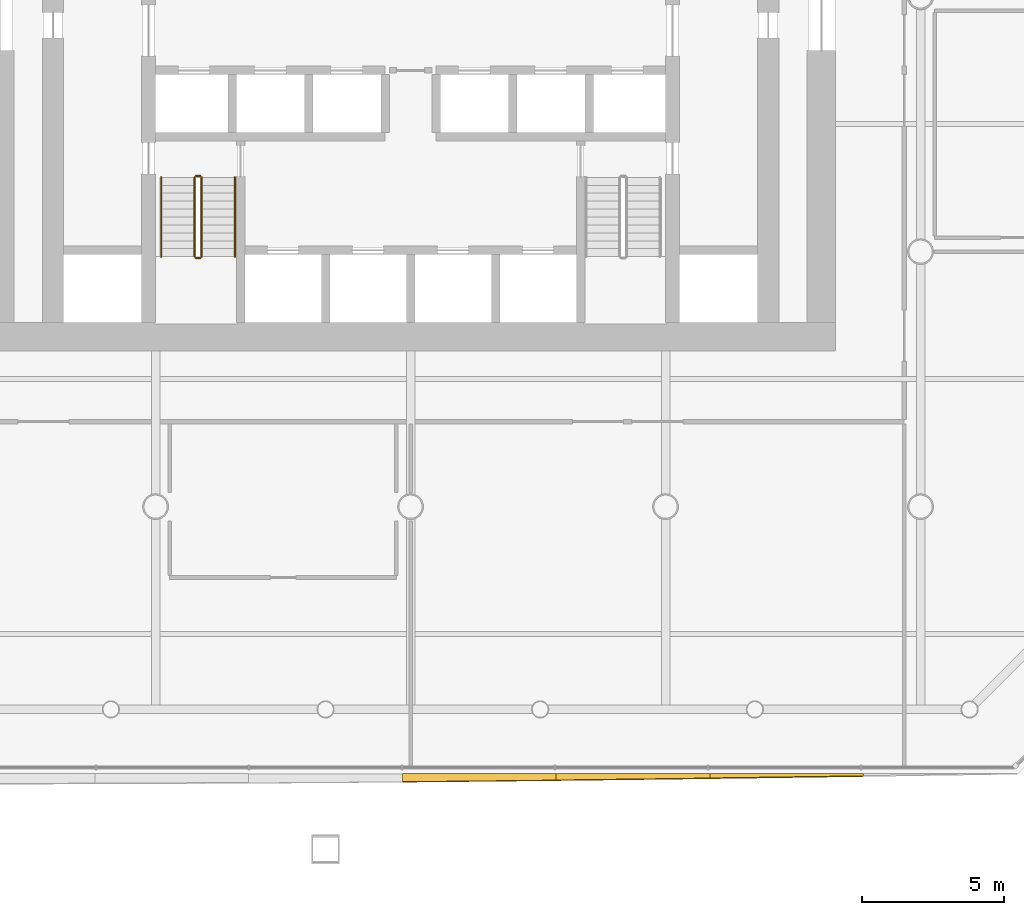
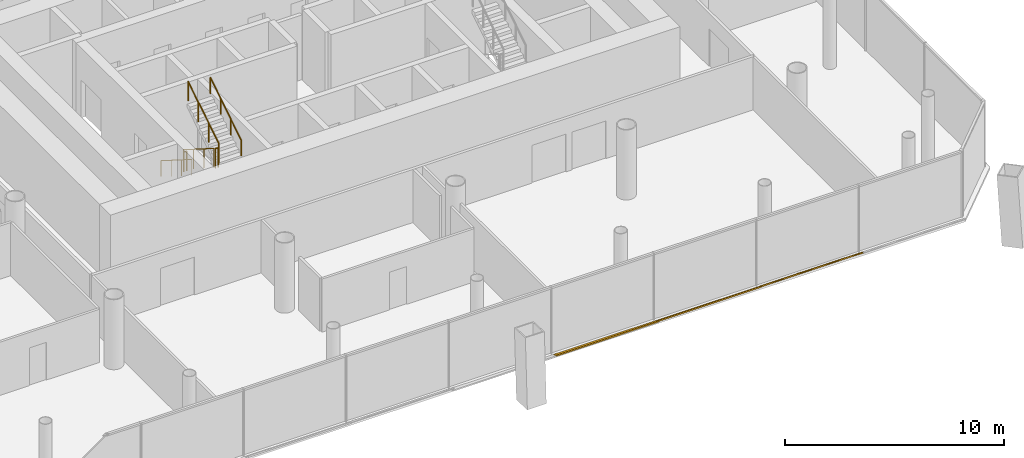
# One storey, part 19 of 22: 6 railings, 3 shading devices.
"""IFC4 building model written with IfcOpenShell, lengths in metres."""

from ifc_helpers import new_model, si_unit, direction, frame, origin, origin_2d, place, context, subcontext, project, spatial, polyline, circle, outline, extrude, material, layer, layer_set, type_object, element, save


model = new_model("IFC4")

# Units and contexts
model_context = context("Model", 3, precision=1e-05, world=origin(), true_north=direction((0.0, 1.0)))
body_context = subcontext(model_context, "Body", "Model", "MODEL_VIEW")
ifc_project = project(units=[si_unit("LENGTHUNIT", "METRE"), si_unit("AREAUNIT", "SQUARE_METRE"), si_unit("VOLUMEUNIT", "CUBIC_METRE"), si_unit("PLANEANGLEUNIT", "RADIAN"), si_unit("MASSUNIT", "GRAM", prefix="KILO")], contexts=[model_context])

# Site, building, storey
site_placement = place(None, origin())
site = spatial("IfcSite", under=ifc_project, at=site_placement, CompositionType="ELEMENT")
building_placement = place(site_placement, origin())
building = spatial("IfcBuilding", under=site, at=building_placement, Name="Tskaro Facet Tower", CompositionType="ELEMENT")
storey_placement = place(building_placement, frame((0.0, 0.0, 26.39990234375)))
storey = spatial("IfcBuildingStorey", under=building, at=storey_placement, Name="L05", CompositionType="ELEMENT", Elevation=26.39990234375)

# Shading devices
ifc_material_1 = material(Name="Bronze anodised aluminium 6063-T6", Category="aluminium")
ifc_layer = layer(ifc_material_1, 0.06005859375, Name="Bronze anodised aluminium 6063-T6")
ifc_layer_set = layer_set([ifc_layer], Name="Bronze anodised aluminium 6063-T6")
shading_device_type = type_object("IfcShadingDeviceType", Name="Bronze sun blade (FN1)", PredefinedType="USERDEFINED", material=ifc_layer_set)
shading_device_1_placement = place(storey_placement, frame((-0.287841796875, -27.4267578125, 0.054443359375), z_axis=(-8.138028e-06, 0.422855569478, 0.906197090756), x_axis=(0.999999999967, 3.44121e-06, 7.374657e-06)))
element("IfcShadingDevice", 1, at=shading_device_1_placement, inside=storey, type_object=shading_device_type, Name="Fin blade south 6", ObjectType="FIN", PredefinedType="USERDEFINED", context=body_context, shape_type="SweptSolid", body=[
    extrude(outline(polyline([(0.0, 0.0), (5.424072265445389, -2.297183958636327e-21), (5.424072265751923, -0.24760746234001452), (4.746093750271719, -0.2562356704570903), (4.068115234671338, -0.2643181633029101), (3.390136719070959, -0.27240065614872977), (2.7121582025102655, -0.2801586732474113), (2.033935546164719, -0.28769545082197506), (1.3559570312843037, -0.295010988872421), (0.6779785154435741, -0.30200205117572876), (-3.971553077185795e-10, -0.30899311347903646), (0.0, 0.0)])), origin(), (0.0, 0.0, -1.0), 0.06005859375),
])
shading_device_2_placement = place(storey_placement, frame((5.13623046875, -27.422119140625, 0.052001953125), z_axis=(-4.571326e-06, 0.500516691478, 0.865726886224), x_axis=(0.99999999999, 2.288025e-06, 3.95752e-06)))
element("IfcShadingDevice", 2, at=shading_device_2_placement, inside=storey, type_object=shading_device_type, Name="Fin blade south 7", ObjectType="FIN", PredefinedType="USERDEFINED", context=body_context, shape_type="SweptSolid", body=[
    extrude(outline(polyline([(0.0, 0.0), (5.4243164061933244, 0.0), (5.424316406029219, -0.18102743005416572), (4.746337890999319, -0.19153603894167837), (4.068359375561827, -0.20171109226822515), (3.390136718533147, -0.21176394913689034), (2.7121582026880633, -0.2216054469024713), (2.0341796868429793, -0.23144694466805224), (1.3562011721150955, -0.2408657242274647), (0.6782226564210204, -0.2501623073289955), (-3.0564366389082347e-10, -0.2591253348695605), (0.0, 0.0)])), origin(), (0.0, 0.0, -1.0), 0.06005859375),
])
shading_device_3_placement = place(storey_placement, frame((10.560546875, -27.41748046875, 0.04931640625), z_axis=(1.9837216e-05, 0.572815452683, 0.819684364115), x_axis=(0.999999999803, -1.1363064e-05, -1.6260256e-05)))
element("IfcShadingDevice", 3, at=shading_device_3_placement, inside=storey, type_object=shading_device_type, Name="Fin blade south 8", ObjectType="FIN", PredefinedType="USERDEFINED", context=body_context, shape_type="SweptSolid", body=[
    extrude(outline(polyline([(0.0, 0.0), (5.424316405182725, 0.0), (5.424316406416868, -0.09854391947537694), (4.746093750113642, -0.1104643802296048), (4.068115234435368, -0.12238484098383265), (3.390136718757093, -0.13430530173806052), (2.712158200304634, -0.14602564423929132), (2.0341796858219627, -0.15760613921786693), (1.35595703071434, -0.16918663419644253), (0.6779785174272728, -0.1804271633993659), (-2.603769128901683e-09, -0.1916074218719474), (0.0, 0.0)])), origin(), (0.0, 0.0, -1.0), 0.06005859375),
])

# Railings
ifc_material_2 = material(Name="Stainless steel", Category="steel")
railing_type_1 = type_object("IfcRailingType", Name="RL-GUARD-1100", PredefinedType="GUARDRAIL", material=ifc_material_2)
railing_1_placement = place(storey_placement, frame((-7.625, -6.375, 0.177490234375)))
element("IfcRailing", 4, at=railing_1_placement, inside=storey, type_object=railing_type_1, Name="L05 ST-1 stair guard 1", PredefinedType="GUARDRAIL", context=body_context, shape_type="SweptSolid", body=[
    extrude(circle(Radius=0.02392578125, at=origin_2d()), frame((0.0, 0.0, 1.076171875), z_axis=(0.0, -0.844908973607, 0.534910110503), x_axis=(1.0, 0.0, 0.0)), (0.0, 0.0, 1.0), 3.31396484375),
    extrude(circle(Radius=0.02099609375, at=origin_2d()), origin(), (0.0, 0.0, 1.0), 1.052001953125),
    extrude(circle(Radius=0.02099609375, at=origin_2d()), frame((0.0, -0.933349609375, 0.5908203125)), (0.0, 0.0, 1.0), 1.052001953125),
    extrude(circle(Radius=0.02099609375, at=origin_2d()), frame((0.0, -1.86669921875, 1.181884765625)), (0.0, 0.0, 1.0), 1.052001953125),
    extrude(circle(Radius=0.02099609375, at=origin_2d()), frame((0.0, -2.800048828125, 1.772705078125)), (0.0, 0.0, 1.0), 1.052001953125),
])
railing_2_placement = place(storey_placement, frame((-7.574951171875, -9.22509765625, 1.9501953125)))
element("IfcRailing", 5, at=railing_2_placement, inside=storey, type_object=railing_type_1, Name="L05 ST-1 stair guard 2", PredefinedType="GUARDRAIL", context=body_context, shape_type="SweptSolid", body=[
    extrude(circle(Radius=0.02392578125, at=origin_2d()), frame((0.0, 0.0, 1.076171875), z_axis=(1.0, 0.0, 0.0), x_axis=(0.0, 1.0, 0.0)), (0.0, 0.0, 1.0), 0.14990234375),
    extrude(circle(Radius=0.02099609375, at=origin_2d()), origin(), (0.0, 0.0, 1.0), 1.052001953125),
    extrude(circle(Radius=0.02099609375, at=origin_2d()), frame((0.14990234375, 0.0, 0.0)), (0.0, 0.0, 1.0), 1.052001953125),
])
railing_3_placement = place(storey_placement, frame((-7.375, -9.175048828125, 2.12744140625)))
element("IfcRailing", 6, at=railing_3_placement, inside=storey, type_object=railing_type_1, Name="L05 ST-1 stair guard 3", PredefinedType="GUARDRAIL", context=body_context, shape_type="SweptSolid", body=[
    extrude(circle(Radius=0.02392578125, at=origin_2d()), frame((0.0, 0.0, 1.076171875), z_axis=(0.0, 0.844908973607, 0.534910110503), x_axis=(-1.0, 0.0, 0.0)), (0.0, 0.0, 1.0), 3.31396484375),
    extrude(circle(Radius=0.02099609375, at=origin_2d()), origin(), (0.0, 0.0, 1.0), 1.052001953125),
    extrude(circle(Radius=0.02099609375, at=origin_2d()), frame((0.0, 0.933349609375, 0.5908203125)), (0.0, 0.0, 1.0), 1.052001953125),
    extrude(circle(Radius=0.02099609375, at=origin_2d()), frame((0.0, 1.86669921875, 1.181884765625)), (0.0, 0.0, 1.0), 1.052001953125),
    extrude(circle(Radius=0.02099609375, at=origin_2d()), frame((0.0, 2.800048828125, 1.772705078125)), (0.0, 0.0, 1.0), 1.052001953125),
])
railing_4_placement = place(storey_placement, frame((-7.574951171875, -6.324951171875, 0.0)))
element("IfcRailing", 7, at=railing_4_placement, inside=storey, type_object=railing_type_1, Name="L05 ST-1 stair guard 4", PredefinedType="GUARDRAIL", context=body_context, shape_type="SweptSolid", body=[
    extrude(circle(Radius=0.02392578125, at=origin_2d()), frame((0.0, 0.0, 1.076171875), z_axis=(1.0, 0.0, 0.0), x_axis=(0.0, 1.0, 0.0)), (0.0, 0.0, 1.0), 0.14990234375),
    extrude(circle(Radius=0.02099609375, at=origin_2d()), origin(), (0.0, 0.0, 1.0), 1.052001953125),
    extrude(circle(Radius=0.02099609375, at=origin_2d()), frame((0.14990234375, 0.0, 0.0)), (0.0, 0.0, 1.0), 1.052001953125),
])
railing_type_2 = type_object("IfcRailingType", Name="RL-HANDRAIL-900", PredefinedType="HANDRAIL", material=ifc_material_2)
railing_5_placement = place(storey_placement, frame((-8.800048828125, -6.375, 0.177490234375)))
element("IfcRailing", 8, at=railing_5_placement, inside=storey, type_object=railing_type_2, Name="L05 ST-1 stair handrail 1", PredefinedType="HANDRAIL", context=body_context, shape_type="SweptSolid", body=[
    extrude(circle(Radius=0.02392578125, at=origin_2d()), frame((0.0, 0.0, 0.8759765625), z_axis=(0.0, -0.844908973607, 0.534910110503), x_axis=(1.0, 0.0, 0.0)), (0.0, 0.0, 1.0), 3.31396484375),
    extrude(circle(Radius=0.02099609375, at=origin_2d()), origin(), (0.0, 0.0, 1.0), 0.851806640625),
    extrude(circle(Radius=0.02099609375, at=origin_2d()), frame((0.0, -0.933349609375, 0.5908203125)), (0.0, 0.0, 1.0), 0.851806640625),
    extrude(circle(Radius=0.02099609375, at=origin_2d()), frame((0.0, -1.86669921875, 1.181884765625)), (0.0, 0.0, 1.0), 0.851806640625),
    extrude(circle(Radius=0.02099609375, at=origin_2d()), frame((0.0, -2.800048828125, 1.772705078125)), (0.0, 0.0, 1.0), 0.851806640625),
])
railing_6_placement = place(storey_placement, frame((-6.199951171875, -9.175048828125, 2.12744140625)))
element("IfcRailing", 9, at=railing_6_placement, inside=storey, type_object=railing_type_2, Name="L05 ST-1 stair handrail 2", PredefinedType="HANDRAIL", context=body_context, shape_type="SweptSolid", body=[
    extrude(circle(Radius=0.02392578125, at=origin_2d()), frame((0.0, 0.0, 0.8759765625), z_axis=(0.0, 0.844908973607, 0.534910110503), x_axis=(-1.0, 0.0, 0.0)), (0.0, 0.0, 1.0), 3.31396484375),
    extrude(circle(Radius=0.02099609375, at=origin_2d()), origin(), (0.0, 0.0, 1.0), 0.851806640625),
    extrude(circle(Radius=0.02099609375, at=origin_2d()), frame((0.0, 0.933349609375, 0.5908203125)), (0.0, 0.0, 1.0), 0.851806640625),
    extrude(circle(Radius=0.02099609375, at=origin_2d()), frame((0.0, 1.86669921875, 1.181884765625)), (0.0, 0.0, 1.0), 0.851806640625),
    extrude(circle(Radius=0.02099609375, at=origin_2d()), frame((0.0, 2.800048828125, 1.772705078125)), (0.0, 0.0, 1.0), 0.851806640625),
])

save(model, "model.ifc")
